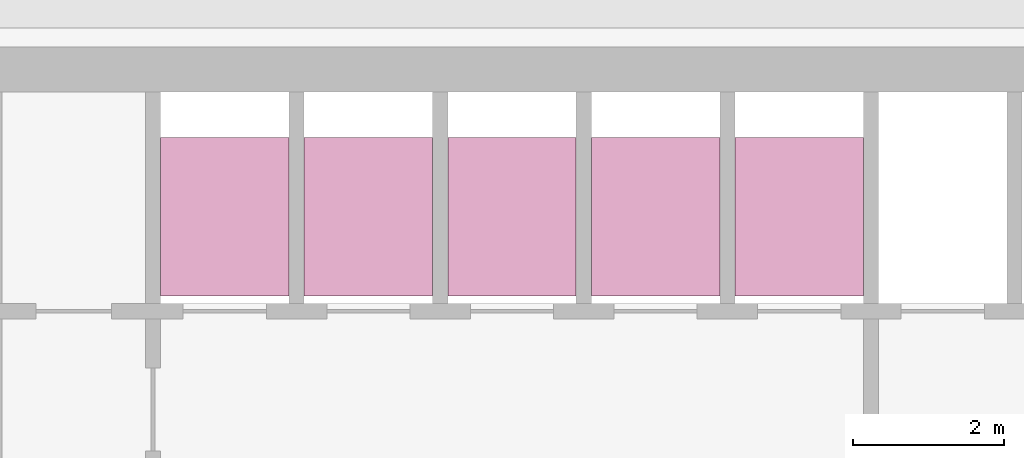
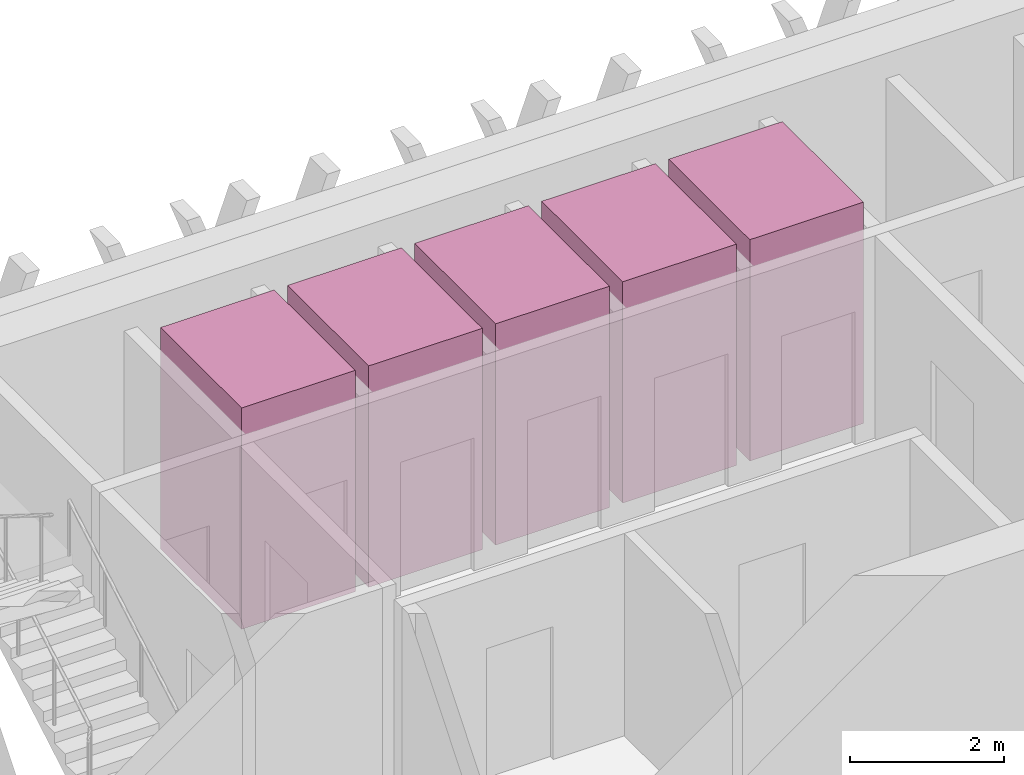
# One storey, part 14 of 14: 5 transport elements.
"""IFC4 building model written with IfcOpenShell, lengths in metres."""

from ifc_helpers import new_model, si_unit, direction, frame, origin, origin_2d, place, context, subcontext, project, spatial, rectangle, extrude, material, type_object, element, save


model = new_model("IFC4")

# Units and contexts
model_context = context("Model", 3, precision=1e-05, world=origin(), true_north=direction((0.0, 1.0)))
body_context = subcontext(model_context, "Body", "Model", "MODEL_VIEW")
ifc_project = project(units=[si_unit("LENGTHUNIT", "METRE"), si_unit("AREAUNIT", "SQUARE_METRE"), si_unit("VOLUMEUNIT", "CUBIC_METRE"), si_unit("PLANEANGLEUNIT", "RADIAN"), si_unit("MASSUNIT", "GRAM", prefix="KILO")], contexts=[model_context])

# Site, building, storey
site_placement = place(None, origin())
site = spatial("IfcSite", under=ifc_project, at=site_placement, CompositionType="ELEMENT")
building_placement = place(site_placement, origin())
building = spatial("IfcBuilding", under=site, at=building_placement, Name="Altiplano Prism Tower", CompositionType="ELEMENT")
storey_placement = place(building_placement, frame((0.0, 0.0, 242.800048828125)))
storey = spatial("IfcBuildingStorey", under=building, at=storey_placement, Name="L62", CompositionType="ELEMENT", Elevation=242.800048828125)

# Transport elements
ifc_material = material(Name="Stainless steel lift car", Category="steel")
transport_element_type = type_object("IfcTransportElementType", Name="Passenger lift car 1600 x 2100", PredefinedType="ELEVATOR", material=ifc_material)
for number, where, z_axis, x_axis, name in (
    (1, (79.050048828125, 101.75, 0.050048828125), (0.0, 0.0, 1.0), (1.0, 0.0, 0.0), "High Zone Passenger Lift 1"),
    (2, (80.949951171875, 101.75, 0.050048828125), (0.0, 0.0, 1.0), (1.0, 0.0, 0.0), "High Zone Passenger Lift 2"),
    (3, (82.85009765625, 101.75, 0.050048828125), (0.0, 0.0, 1.0), (1.0, 0.0, 0.0), "High Zone Passenger Lift 3"),
    (4, (84.75, 101.75, 0.050048828125), (0.0, 0.0, 1.0), (1.0, 0.0, 0.0), "High Zone Passenger Lift 4"),
    (5, (86.64990234375, 101.75, 0.050048828125), (0.0, 0.0, 1.0), (1.0, 0.0, 0.0), "High Zone Passenger Lift 5"),
):
    element("IfcTransportElement", number, at=place(storey_placement, frame(where, z_axis=z_axis, x_axis=x_axis)), inside=storey, type_object=transport_element_type, Name=name, PredefinedType="ELEVATOR", context=body_context, shape_type="SweptSolid", body=[
        extrude(rectangle(XDim=1.699951171875, YDim=2.10009765625, at=origin_2d()), origin(), (0.0, 0.0, 1.0), 3.5),
    ])

save(model, "model.ifc")
